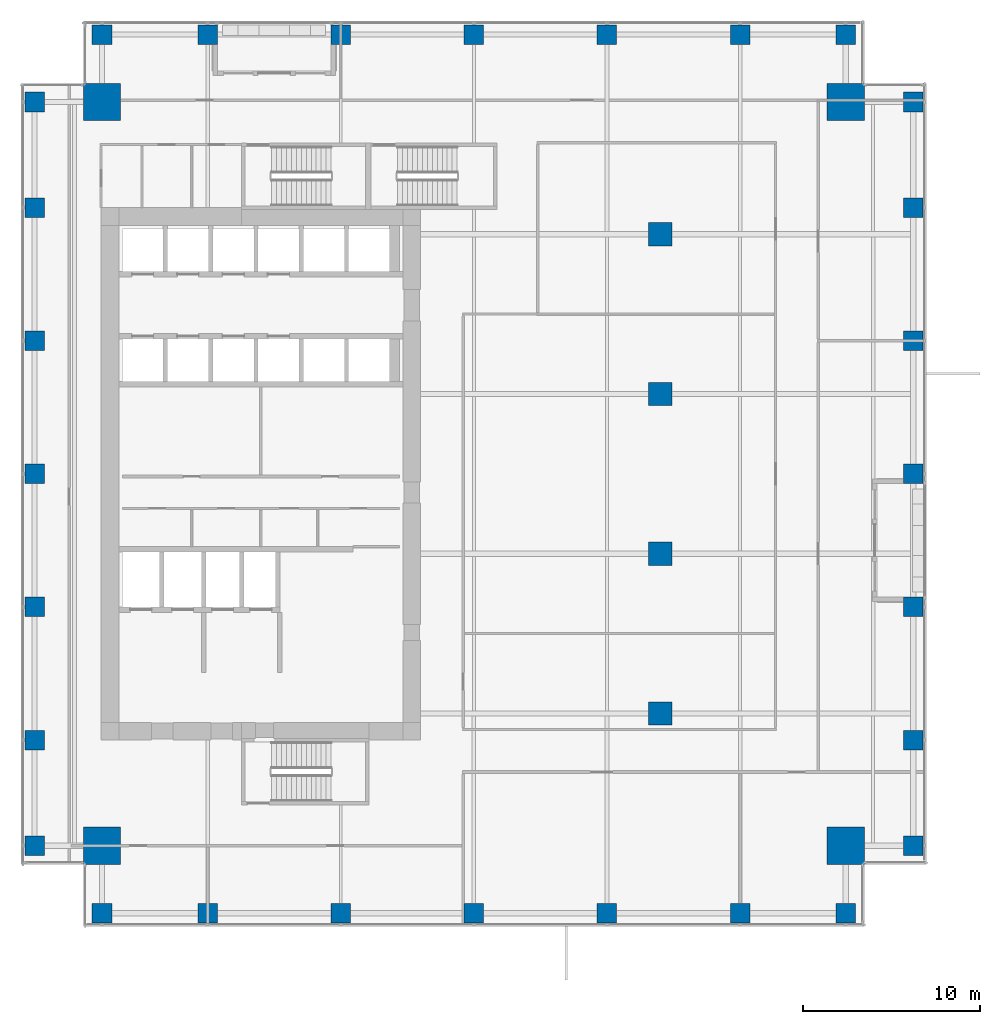
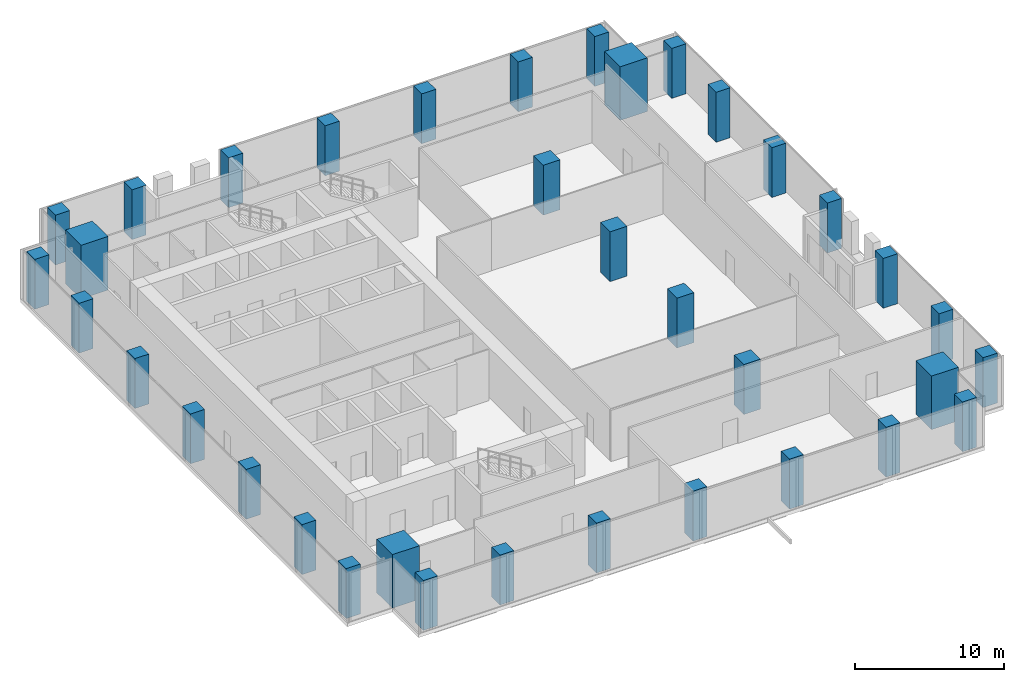
# One storey, part 1 of 34: 36 columns.
"""IFC4 building model written with IfcOpenShell, lengths in metres."""

from ifc_helpers import new_model, si_unit, direction, frame, origin, origin_2d, place, context, subcontext, project, spatial, rectangle, extrude, source, transform, mapped, material, material_profile, profile_set, type_object, element, save


model = new_model("IFC4")

# Units and contexts
model_context = context("Model", 3, precision=1e-05, world=origin(), true_north=direction((0.0, 1.0)))
body_context = subcontext(model_context, "Body", "Model", "MODEL_VIEW")
ifc_project = project(units=[si_unit("LENGTHUNIT", "METRE"), si_unit("AREAUNIT", "SQUARE_METRE"), si_unit("VOLUMEUNIT", "CUBIC_METRE"), si_unit("PLANEANGLEUNIT", "RADIAN"), si_unit("MASSUNIT", "GRAM", prefix="KILO")], contexts=[model_context])

# Site, building, storey
site_placement = place(None, origin())
site = spatial("IfcSite", under=ifc_project, at=site_placement, CompositionType="ELEMENT")
building_placement = place(site_placement, origin())
building = spatial("IfcBuilding", under=site, at=building_placement, Name="Khomas Fold Tower", CompositionType="ELEMENT")
storey_placement = place(building_placement, frame((0.0, 0.0, 145.5)))
storey = spatial("IfcBuildingStorey", under=building, at=storey_placement, Name="L31", CompositionType="ELEMENT", Elevation=145.5)

# Columns
ifc_material_1 = material(Name="Concrete C70/85", Category="concrete")
ifc_material_profile_1 = material_profile(ifc_material_1, rectangle(XDim=2.10009765625, YDim=2.10009765625, at=origin_2d()), Name="RC 2100x2100")
ifc_profile_set_1 = profile_set([ifc_material_profile_1], Name="Concrete C70/85")
column_type_1 = type_object("IfcColumnType", Name="RC 2100x2100 column", PredefinedType="COLUMN", material=ifc_profile_set_1)
shared_shape_1 = source(origin(), body_context, "Body", "SweptSolid", [
    extrude(rectangle(XDim=2.10009765625, YDim=2.10009765625, at=origin_2d()), origin(), (0.0, 0.0, 1.0), 4.39990234375),
])
for number, where, z_axis, x_axis, name in (
    (1, (47.949951171875, 47.949951171875, 0.0), (0.0, 0.0, 1.0), (1.0, 0.0, 0.0), "CM-NE"),
    (2, (6.050048828125, 47.949951171875, 0.0), (0.0, 0.0, 1.0), (1.0, 0.0, 0.0), "CM-NW"),
    (3, (47.949951171875, 6.050048828125, 0.0), (0.0, 0.0, 1.0), (1.0, 0.0, 0.0), "CM-SE"),
    (4, (6.050048828125, 6.050048828125, 0.0), (0.0, 0.0, 1.0), (1.0, 0.0, 0.0), "CM-SW"),
):
    element("IfcColumn", number, at=place(storey_placement, frame(where, z_axis=z_axis, x_axis=x_axis)), inside=storey, type_object=column_type_1, Name=name, PredefinedType="COLUMN", context=body_context, shape_type="MappedRepresentation", body=[
        mapped(shared_shape_1, transform((0.0, 0.0, 0.0))),
    ])
ifc_material_2 = material(Name="Concrete C50/60", Category="concrete")
ifc_material_profile_2 = material_profile(ifc_material_2, rectangle(XDim=1.10009765625, YDim=1.10009765625, at=origin_2d()), Name="RC 1100x1100")
ifc_profile_set_2 = profile_set([ifc_material_profile_2], Name="Concrete C50/60")
column_type_2 = type_object("IfcColumnType", Name="RC 1100x1100 column", PredefinedType="COLUMN", material=ifc_profile_set_2)
shared_shape_2 = source(origin(), body_context, "Body", "SweptSolid", [
    extrude(rectangle(XDim=1.10009765625, YDim=1.10009765625, at=origin_2d()), origin(), (0.0, 0.0, 1.0), 4.10009765625),
])
for number, where, z_axis, x_axis, name in (
    (5, (6.050048828125, 2.25, 0.0), (0.0, 0.0, 1.0), (1.0, 0.0, 0.0), "C-3-SF2"),
    (6, (12.0, 2.25, 0.0), (0.0, 0.0, 1.0), (1.0, 0.0, 0.0), "C-6-SF2"),
    (7, (19.5, 2.25, 0.0), (0.0, 0.0, 1.0), (1.0, 0.0, 0.0), "C-8-SF2"),
    (8, (27.0, 2.25, 0.0), (0.0, 0.0, 1.0), (1.0, 0.0, 0.0), "C-9-SF2"),
    (9, (34.5, 2.25, 0.0), (0.0, 0.0, 1.0), (1.0, 0.0, 0.0), "C-10-SF2"),
    (10, (42.0, 2.25, 0.0), (0.0, 0.0, 1.0), (1.0, 0.0, 0.0), "C-13-SF2"),
    (11, (47.949951171875, 2.25, 0.0), (0.0, 0.0, 1.0), (1.0, 0.0, 0.0), "C-16-SF2"),
    (12, (51.75, 6.050048828125, 0.0), (0.0, 0.0, 1.0), (1.0, 0.0, 0.0), "C-E2-C"),
    (13, (51.75, 12.0, 0.0), (0.0, 0.0, 1.0), (1.0, 0.0, 0.0), "C-E2-F"),
    (14, (51.75, 19.5, 0.0), (0.0, 0.0, 1.0), (1.0, 0.0, 0.0), "C-E2-J"),
    (15, (51.75, 27.0, 0.0), (0.0, 0.0, 1.0), (1.0, 0.0, 0.0), "C-E2-L"),
    (16, (51.75, 34.5, 0.0), (0.0, 0.0, 1.0), (1.0, 0.0, 0.0), "C-E2-N"),
    (17, (51.75, 42.0, 0.0), (0.0, 0.0, 1.0), (1.0, 0.0, 0.0), "C-E2-R"),
    (18, (51.75, 47.949951171875, 0.0), (0.0, 0.0, 1.0), (1.0, 0.0, 0.0), "C-E2-U"),
    (19, (6.050048828125, 51.75, 0.0), (0.0, 0.0, 1.0), (1.0, 0.0, 0.0), "C-3-NF2"),
    (20, (12.0, 51.75, 0.0), (0.0, 0.0, 1.0), (1.0, 0.0, 0.0), "C-6-NF2"),
    (21, (19.5, 51.75, 0.0), (0.0, 0.0, 1.0), (1.0, 0.0, 0.0), "C-8-NF2"),
    (22, (27.0, 51.75, 0.0), (0.0, 0.0, 1.0), (1.0, 0.0, 0.0), "C-9-NF2"),
    (23, (34.5, 51.75, 0.0), (0.0, 0.0, 1.0), (1.0, 0.0, 0.0), "C-10-NF2"),
    (24, (42.0, 51.75, 0.0), (0.0, 0.0, 1.0), (1.0, 0.0, 0.0), "C-13-NF2"),
    (25, (47.949951171875, 51.75, 0.0), (0.0, 0.0, 1.0), (1.0, 0.0, 0.0), "C-16-NF2"),
    (26, (2.25, 6.050048828125, 0.0), (0.0, 0.0, 1.0), (1.0, 0.0, 0.0), "C-W2-C"),
    (27, (2.25, 12.0, 0.0), (0.0, 0.0, 1.0), (1.0, 0.0, 0.0), "C-W2-F"),
    (28, (2.25, 19.5, 0.0), (0.0, 0.0, 1.0), (1.0, 0.0, 0.0), "C-W2-J"),
    (29, (2.25, 27.0, 0.0), (0.0, 0.0, 1.0), (1.0, 0.0, 0.0), "C-W2-L"),
    (30, (2.25, 34.5, 0.0), (0.0, 0.0, 1.0), (1.0, 0.0, 0.0), "C-W2-N"),
    (31, (2.25, 42.0, 0.0), (0.0, 0.0, 1.0), (1.0, 0.0, 0.0), "C-W2-R"),
    (32, (2.25, 47.949951171875, 0.0), (0.0, 0.0, 1.0), (1.0, 0.0, 0.0), "C-W2-U"),
):
    element("IfcColumn", number, at=place(storey_placement, frame(where, z_axis=z_axis, x_axis=x_axis)), inside=storey, type_object=column_type_2, Name=name, PredefinedType="COLUMN", context=body_context, shape_type="MappedRepresentation", body=[
        mapped(shared_shape_2, transform((0.0, 0.0, 0.0))),
    ])
ifc_material_3 = material(Name="Concrete C60/75", Category="concrete")
ifc_material_profile_3 = material_profile(ifc_material_3, rectangle(XDim=1.300048828125, YDim=1.300048828125, at=origin_2d()), Name="RC 1300x1300")
ifc_profile_set_3 = profile_set([ifc_material_profile_3], Name="Concrete C60/75")
column_type_3 = type_object("IfcColumnType", Name="RC 1300x1300 column", PredefinedType="COLUMN", material=ifc_profile_set_3)
shared_shape_3 = source(origin(), body_context, "Body", "SweptSolid", [
    extrude(rectangle(XDim=1.300048828125, YDim=1.300048828125, at=origin_2d()), origin(), (0.0, 0.0, 1.0), 4.10009765625),
])
for number, where, z_axis, x_axis, name in (
    (33, (37.5, 13.5, 0.0), (0.0, 0.0, 1.0), (1.0, 0.0, 0.0), "C-11-H"),
    (34, (37.5, 22.5, 0.0), (0.0, 0.0, 1.0), (1.0, 0.0, 0.0), "C-11-K"),
    (35, (37.5, 31.5, 0.0), (0.0, 0.0, 1.0), (1.0, 0.0, 0.0), "C-11-M"),
    (36, (37.5, 40.5, 0.0), (0.0, 0.0, 1.0), (1.0, 0.0, 0.0), "C-11-P"),
):
    element("IfcColumn", number, at=place(storey_placement, frame(where, z_axis=z_axis, x_axis=x_axis)), inside=storey, type_object=column_type_3, Name=name, PredefinedType="COLUMN", context=body_context, shape_type="MappedRepresentation", body=[
        mapped(shared_shape_3, transform((0.0, 0.0, 0.0))),
    ])

save(model, "model.ifc")
